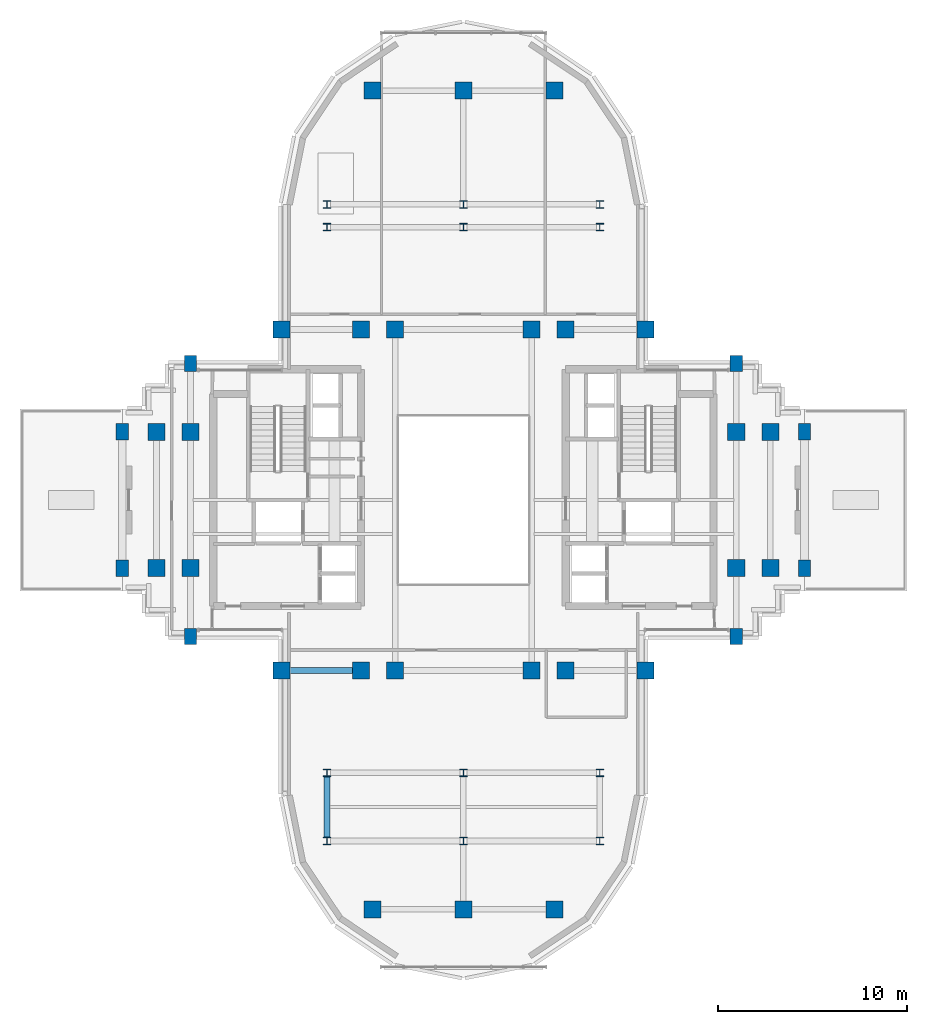
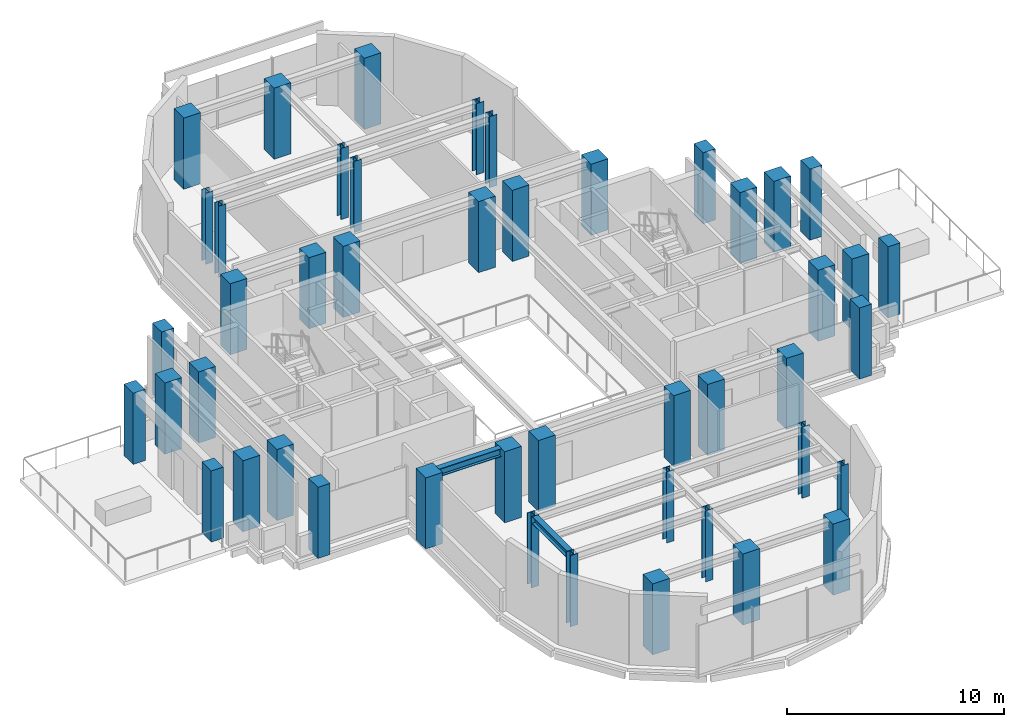
# One storey, part 1 of 12: 46 columns, 2 beams.
"""IFC4 building model written with IfcOpenShell, lengths in metres."""

from ifc_helpers import new_model, si_unit, direction, frame, origin, origin_2d, place, context, subcontext, project, spatial, rectangle, i_section, extrude, source, transform, mapped, material, material_profile, profile_set, type_object, element, save


model = new_model("IFC4")

# Units and contexts
model_context = context("Model", 3, precision=1e-05, world=origin(), true_north=direction((0.0, 1.0)))
body_context = subcontext(model_context, "Body", "Model", "MODEL_VIEW")
ifc_project = project(units=[si_unit("LENGTHUNIT", "METRE"), si_unit("AREAUNIT", "SQUARE_METRE"), si_unit("VOLUMEUNIT", "CUBIC_METRE"), si_unit("PLANEANGLEUNIT", "RADIAN"), si_unit("MASSUNIT", "GRAM", prefix="KILO")], contexts=[model_context])

# Site, building, storey
site_placement = place(None, origin())
site = spatial("IfcSite", under=ifc_project, at=site_placement, CompositionType="ELEMENT")
building_placement = place(site_placement, origin())
building = spatial("IfcBuilding", under=site, at=building_placement, Name="Keilestroom Media Tower", CompositionType="ELEMENT")
storey_placement = place(building_placement, frame((0.0, 0.0, 156.199951171875)))
storey = spatial("IfcBuildingStorey", under=building, at=storey_placement, Name="L42", CompositionType="ELEMENT", Elevation=156.199951171875)

# Columns
ifc_material_1 = material(Name="Precast concrete C40/50", Category="concrete")
ifc_material_profile_1 = material_profile(ifc_material_1, rectangle(XDim=0.64990234375, YDim=0.85009765625, at=origin_2d()), Name="PC 850x650")
ifc_profile_set_1 = profile_set([ifc_material_profile_1], Name="Precast concrete C40/50")
column_type_1 = type_object("IfcColumnType", Name="Structural-Column-PC-850x650", PredefinedType="COLUMN", material=ifc_profile_set_1)
shared_shape_1 = source(origin(), body_context, "Body", "SweptSolid", [
    extrude(rectangle(XDim=0.64990234375, YDim=0.85009765625, at=origin_2d()), origin(), (0.0, 0.0, 1.0), 4.0),
])
for number, where, z_axis, x_axis, name in (
    (1, (-18.0, -3.60009765625, 0.0), (0.0, 0.0, 1.0), (1.0, 0.0, 0.0), "L42 Column PC-2 (-18.0,-3.6)"),
    (2, (-18.0, 3.60009765625, 0.0), (0.0, 0.0, 1.0), (1.0, 0.0, 0.0), "L42 Column PC-2 (-18.0,+3.6)"),
    (3, (-14.39990234375, -7.199951171875, 0.0), (0.0, 0.0, 1.0), (1.0, 0.0, 0.0), "L42 Column PC-2 (-14.4,-7.2)"),
    (4, (-14.39990234375, 7.199951171875, 0.0), (0.0, 0.0, 1.0), (1.0, 0.0, 0.0), "L42 Column PC-2 (-14.4,+7.2)"),
    (5, (14.39990234375, -7.199951171875, 0.0), (0.0, 0.0, 1.0), (1.0, 0.0, 0.0), "L42 Column PC-2 (+14.4,-7.2)"),
    (6, (14.39990234375, 7.199951171875, 0.0), (0.0, 0.0, 1.0), (1.0, 0.0, 0.0), "L42 Column PC-2 (+14.4,+7.2)"),
    (7, (18.0, -3.60009765625, 0.0), (0.0, 0.0, 1.0), (1.0, 0.0, 0.0), "L42 Column PC-2 (+18.0,-3.6)"),
    (8, (18.0, 3.60009765625, 0.0), (0.0, 0.0, 1.0), (1.0, 0.0, 0.0), "L42 Column PC-2 (+18.0,+3.6)"),
):
    element("IfcColumn", number, at=place(storey_placement, frame(where, z_axis=z_axis, x_axis=x_axis)), inside=storey, type_object=column_type_1, Name=name, PredefinedType="COLUMN", context=body_context, shape_type="MappedRepresentation", body=[
        mapped(shared_shape_1, transform((0.0, 0.0, 0.0), x_axis=(1.0, 0.0, 0.0), y_axis=(0.0, 1.0, 0.0), z_axis=(0.0, 0.0, 1.0), scale=1.0)),
    ])
ifc_material_2 = material(Name="Concrete C55/67", Category="concrete")
ifc_material_profile_2 = material_profile(ifc_material_2, rectangle(XDim=0.89990234375, YDim=0.89990234375, at=origin_2d()), Name="RC 900x900")
ifc_profile_set_2 = profile_set([ifc_material_profile_2], Name="Concrete C55/67")
column_type_2 = type_object("IfcColumnType", Name="Structural-Column-RC-900x900", PredefinedType="COLUMN", material=ifc_profile_set_2)
shared_shape_2 = source(origin(), body_context, "Body", "SweptSolid", [
    extrude(rectangle(XDim=0.89990234375, YDim=0.89990234375, at=origin_2d()), origin(), (0.0, 0.0, 1.0), 4.0),
])
for number, where, z_axis, x_axis, name in (
    (9, (-16.199951171875, -3.60009765625, 0.0), (0.0, 0.0, 1.0), (1.0, 0.0, 0.0), "L42 Column MC-4 (-16.2,-3.6)"),
    (10, (-16.199951171875, 3.60009765625, 0.0), (0.0, 0.0, 1.0), (1.0, 0.0, 0.0), "L42 Column MC-4 (-16.2,+3.6)"),
    (11, (-14.39990234375, -3.60009765625, 0.0), (0.0, 0.0, 1.0), (1.0, 0.0, 0.0), "L42 Column MC-4 (-14.4,-3.6)"),
    (12, (-14.39990234375, 3.60009765625, 0.0), (0.0, 0.0, 1.0), (1.0, 0.0, 0.0), "L42 Column MC-4 (-14.4,+3.6)"),
    (13, (-9.60009765625, -9.0, 0.0), (0.0, 0.0, 1.0), (1.0, 0.0, 0.0), "L42 Column MC-4 (-9.6,-9.0)"),
    (14, (-9.60009765625, 9.0, 0.0), (0.0, 0.0, 1.0), (1.0, 0.0, 0.0), "L42 Column MC-4 (-9.6,+9.0)"),
    (15, (-5.39990234375, -9.0, 0.0), (0.0, 0.0, 1.0), (1.0, 0.0, 0.0), "L42 Column MC-4 (-5.4,-9.0)"),
    (16, (-5.39990234375, 9.0, 0.0), (0.0, 0.0, 1.0), (1.0, 0.0, 0.0), "L42 Column MC-4 (-5.4,+9.0)"),
    (17, (-4.800048828125, -21.60009765625, 0.0), (0.0, 0.0, 1.0), (1.0, 0.0, 0.0), "L42 Column MC-4 (-4.8,-21.6)"),
    (18, (-4.800048828125, 21.60009765625, 0.0), (0.0, 0.0, 1.0), (1.0, 0.0, 0.0), "L42 Column MC-4 (-4.8,+21.6)"),
    (19, (-3.60009765625, -9.0, 0.0), (0.0, 0.0, 1.0), (1.0, 0.0, 0.0), "L42 Column MC-4 (-3.6,-9.0)"),
    (20, (-3.60009765625, 9.0, 0.0), (0.0, 0.0, 1.0), (1.0, 0.0, 0.0), "L42 Column MC-4 (-3.6,+9.0)"),
    (21, (0.0, -21.60009765625, 0.0), (0.0, 0.0, 1.0), (1.0, 0.0, 0.0), "L42 Column MC-4 (+0.0,-21.6)"),
    (22, (0.0, 21.60009765625, 0.0), (0.0, 0.0, 1.0), (1.0, 0.0, 0.0), "L42 Column MC-4 (+0.0,+21.6)"),
    (23, (3.60009765625, -9.0, 0.0), (0.0, 0.0, 1.0), (1.0, 0.0, 0.0), "L42 Column MC-4 (+3.6,-9.0)"),
    (24, (3.60009765625, 9.0, 0.0), (0.0, 0.0, 1.0), (1.0, 0.0, 0.0), "L42 Column MC-4 (+3.6,+9.0)"),
    (25, (4.800048828125, -21.60009765625, 0.0), (0.0, 0.0, 1.0), (1.0, 0.0, 0.0), "L42 Column MC-4 (+4.8,-21.6)"),
    (26, (4.800048828125, 21.60009765625, 0.0), (0.0, 0.0, 1.0), (1.0, 0.0, 0.0), "L42 Column MC-4 (+4.8,+21.6)"),
    (27, (5.39990234375, -9.0, 0.0), (0.0, 0.0, 1.0), (1.0, 0.0, 0.0), "L42 Column MC-4 (+5.4,-9.0)"),
    (28, (5.39990234375, 9.0, 0.0), (0.0, 0.0, 1.0), (1.0, 0.0, 0.0), "L42 Column MC-4 (+5.4,+9.0)"),
    (29, (9.60009765625, -9.0, 0.0), (0.0, 0.0, 1.0), (1.0, 0.0, 0.0), "L42 Column MC-4 (+9.6,-9.0)"),
    (30, (9.60009765625, 9.0, 0.0), (0.0, 0.0, 1.0), (1.0, 0.0, 0.0), "L42 Column MC-4 (+9.6,+9.0)"),
    (31, (14.39990234375, -3.60009765625, 0.0), (0.0, 0.0, 1.0), (1.0, 0.0, 0.0), "L42 Column MC-4 (+14.4,-3.6)"),
    (32, (14.39990234375, 3.60009765625, 0.0), (0.0, 0.0, 1.0), (1.0, 0.0, 0.0), "L42 Column MC-4 (+14.4,+3.6)"),
    (33, (16.199951171875, -3.60009765625, 0.0), (0.0, 0.0, 1.0), (1.0, 0.0, 0.0), "L42 Column MC-4 (+16.2,-3.6)"),
    (34, (16.199951171875, 3.60009765625, 0.0), (0.0, 0.0, 1.0), (1.0, 0.0, 0.0), "L42 Column MC-4 (+16.2,+3.6)"),
):
    element("IfcColumn", number, at=place(storey_placement, frame(where, z_axis=z_axis, x_axis=x_axis)), inside=storey, type_object=column_type_2, Name=name, PredefinedType="COLUMN", context=body_context, shape_type="MappedRepresentation", body=[
        mapped(shared_shape_2, transform((0.0, 0.0, 0.0), x_axis=(1.0, 0.0, 0.0), y_axis=(0.0, 1.0, 0.0), z_axis=(0.0, 0.0, 1.0), scale=1.0)),
    ])
ifc_material_3 = material(Name="Steel S355", Category="steel")
ifc_material_profile_3 = material_profile(ifc_material_3, i_section(OverallWidth=0.39794921875, OverallDepth=0.386962890625, WebThickness=0.017578125, FlangeThickness=0.028076171875, at=origin_2d()), Name="HD 400x262")
ifc_profile_set_3 = profile_set([ifc_material_profile_3], Name="Steel S355")
column_type_3 = type_object("IfcColumnType", Name="Structural-Column-HD-400x262", PredefinedType="COLUMN", material=ifc_profile_set_3)
shared_shape_3 = source(origin(), body_context, "Body", "SweptSolid", [
    extrude(i_section(OverallWidth=0.39794921875, OverallDepth=0.386962890625, WebThickness=0.017578125, FlangeThickness=0.028076171875, at=origin_2d()), origin(), (0.0, 0.0, 1.0), 4.0),
])
for number, where, z_axis, x_axis, name in (
    (35, (-7.199951171875, -18.0, 0.0), (0.0, 0.0, 1.0), (1.0, 0.0, 0.0), "L42 Column SC-4 (-7.2,-18.0)"),
    (36, (-7.199951171875, -14.39990234375, 0.0), (0.0, 0.0, 1.0), (1.0, 0.0, 0.0), "L42 Column SC-4 (-7.2,-14.4)"),
    (37, (-7.199951171875, 14.39990234375, 0.0), (0.0, 0.0, 1.0), (1.0, 0.0, 0.0), "L42 Column SC-4 (-7.2,+14.4)"),
    (38, (-7.199951171875, 15.60009765625, 0.0), (0.0, 0.0, 1.0), (1.0, 0.0, 0.0), "L42 Column SC-4 (-7.2,+15.6)"),
    (39, (0.0, -18.0, 0.0), (0.0, 0.0, 1.0), (1.0, 0.0, 0.0), "L42 Column SC-4 (+0.0,-18.0)"),
    (40, (0.0, -14.39990234375, 0.0), (0.0, 0.0, 1.0), (1.0, 0.0, 0.0), "L42 Column SC-4 (+0.0,-14.4)"),
    (41, (0.0, 14.39990234375, 0.0), (0.0, 0.0, 1.0), (1.0, 0.0, 0.0), "L42 Column SC-4 (+0.0,+14.4)"),
    (42, (0.0, 15.60009765625, 0.0), (0.0, 0.0, 1.0), (1.0, 0.0, 0.0), "L42 Column SC-4 (+0.0,+15.6)"),
    (43, (7.199951171875, -18.0, 0.0), (0.0, 0.0, 1.0), (1.0, 0.0, 0.0), "L42 Column SC-4 (+7.2,-18.0)"),
    (44, (7.199951171875, -14.39990234375, 0.0), (0.0, 0.0, 1.0), (1.0, 0.0, 0.0), "L42 Column SC-4 (+7.2,-14.4)"),
    (45, (7.199951171875, 14.39990234375, 0.0), (0.0, 0.0, 1.0), (1.0, 0.0, 0.0), "L42 Column SC-4 (+7.2,+14.4)"),
    (46, (7.199951171875, 15.60009765625, 0.0), (0.0, 0.0, 1.0), (1.0, 0.0, 0.0), "L42 Column SC-4 (+7.2,+15.6)"),
):
    element("IfcColumn", number, at=place(storey_placement, frame(where, z_axis=z_axis, x_axis=x_axis)), inside=storey, type_object=column_type_3, Name=name, PredefinedType="COLUMN", context=body_context, shape_type="MappedRepresentation", body=[
        mapped(shared_shape_3, transform((0.0, 0.0, 0.0), x_axis=(1.0, 0.0, 0.0), y_axis=(0.0, 1.0, 0.0), z_axis=(0.0, 0.0, 1.0), scale=1.0)),
    ])

# Beams
ifc_material_profile_4 = material_profile(ifc_material_3, i_section(OverallWidth=0.300048828125, OverallDepth=0.449951171875, WebThickness=0.011962890625, FlangeThickness=0.02587890625, at=origin_2d()), Name="HEB 450")
ifc_profile_set_4 = profile_set([ifc_material_profile_4], Name="Steel S355")
beam_type_1 = type_object("IfcBeamType", Name="Primary-Structural-Girder-HEB-450", PredefinedType="BEAM", material=ifc_profile_set_4)
shared_shape_4 = source(origin(), body_context, "Body", "SweptSolid", [
    extrude(i_section(OverallWidth=0.300048828125, OverallDepth=0.449951171875, WebThickness=0.011962890625, FlangeThickness=0.02587890625, at=origin_2d()), origin(), (0.0, 0.0, 1.0), 3.33984375),
])
beam_1_placement = place(storey_placement, frame((-9.169921875, -9.0, 3.775146484375), z_axis=(1.0, 0.0, 0.0), x_axis=(0.0, 1.0, 0.0)))
element("IfcBeam", 47, at=beam_1_placement, inside=storey, type_object=beam_type_1, Name="L42 Beam BG-7 BM-L42-EW-007", PredefinedType="BEAM", context=body_context, shape_type="MappedRepresentation", body=[
    mapped(shared_shape_4, transform((0.0, 0.0, 0.0), x_axis=(1.0, 0.0, 0.0), y_axis=(0.0, 1.0, 0.0), z_axis=(0.0, 0.0, 1.0), scale=1.0)),
])
ifc_material_profile_5 = material_profile(ifc_material_3, i_section(OverallWidth=0.300048828125, OverallDepth=0.39990234375, WebThickness=0.011474609375, FlangeThickness=0.02392578125, at=origin_2d()), Name="HEB 400")
ifc_profile_set_5 = profile_set([ifc_material_profile_5], Name="Steel S355")
beam_type_2 = type_object("IfcBeamType", Name="Primary-Structural-Girder-HEB-400", PredefinedType="BEAM", material=ifc_profile_set_5)
shared_shape_5 = source(origin(), body_context, "Body", "SweptSolid", [
    extrude(i_section(OverallWidth=0.300048828125, OverallDepth=0.39990234375, WebThickness=0.011474609375, FlangeThickness=0.02392578125, at=origin_2d()), origin(), (0.0, 0.0, 1.0), 3.2529296875),
])
beam_2_placement = place(storey_placement, frame((-7.199951171875, -17.826416015625, 3.800048828125), z_axis=(0.0, 1.0, 0.0), x_axis=(-1.0, 0.0, 0.0)))
element("IfcBeam", 48, at=beam_2_placement, inside=storey, type_object=beam_type_2, Name="L42 Beam BG-8 BM-L42-NS-037", PredefinedType="BEAM", context=body_context, shape_type="MappedRepresentation", body=[
    mapped(shared_shape_5, transform((0.0, 0.0, 0.0), x_axis=(1.0, 0.0, 0.0), y_axis=(0.0, 1.0, 0.0), z_axis=(0.0, 0.0, 1.0), scale=1.0)),
])

save(model, "model.ifc")
